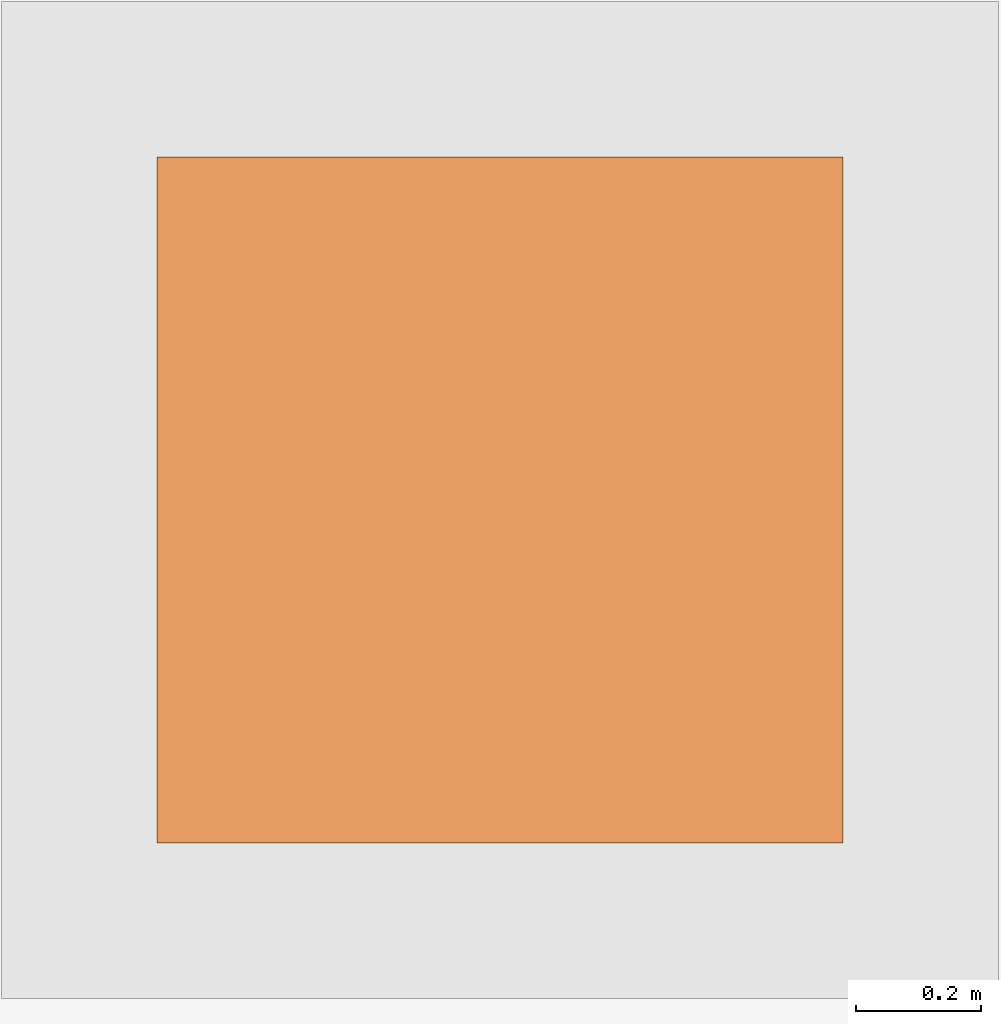
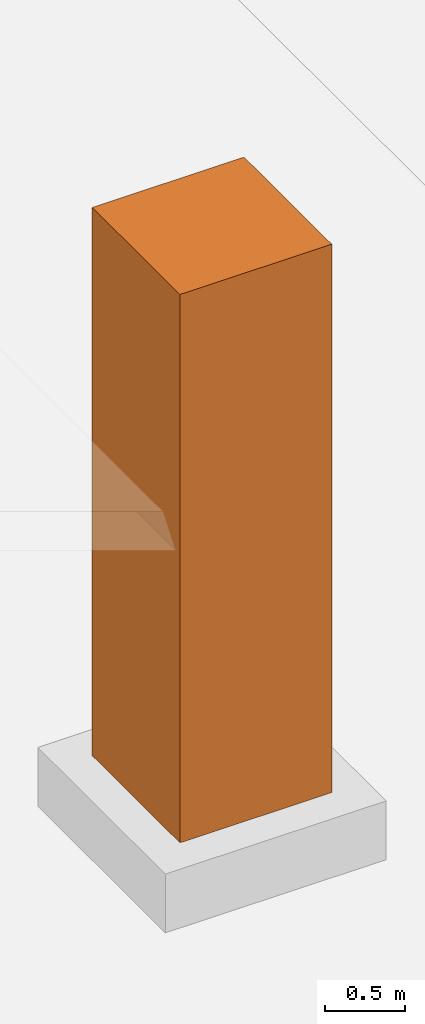
# One storey, part 32 of 32: 1 proxy.
"""IFC4 building model written with IfcOpenShell, lengths in metres."""

from ifc_helpers import new_model, si_unit, direction, frame, origin, origin_2d, place, context, subcontext, project, spatial, rectangle, extrude, element, save


model = new_model("IFC4")

# Units and contexts
model_context = context("Model", 3, precision=1e-05, world=origin(), true_north=direction((0.0, 1.0)))
body_context = subcontext(model_context, "Body", "Model", "MODEL_VIEW")
ifc_project = project(units=[si_unit("LENGTHUNIT", "METRE"), si_unit("AREAUNIT", "SQUARE_METRE"), si_unit("VOLUMEUNIT", "CUBIC_METRE"), si_unit("PLANEANGLEUNIT", "RADIAN"), si_unit("MASSUNIT", "GRAM", prefix="KILO")], contexts=[model_context])

# Site, building, storey
site_placement = place(None, origin())
site = spatial("IfcSite", under=ifc_project, at=site_placement, CompositionType="ELEMENT")
building_placement = place(site_placement, origin())
building = spatial("IfcBuilding", under=site, at=building_placement, Name="Torre Triforio", CompositionType="ELEMENT")
storey_placement = place(building_placement, origin())
storey = spatial("IfcBuildingStorey", under=building, at=storey_placement, Name="L00", CompositionType="ELEMENT", Elevation=0.0)

# Proxy
proxy_placement = place(storey_placement, frame((84.0, 0.0, 0.4501953125), z_axis=(0.0, 0.0, 1.0), x_axis=(1.0, 0.0, 0.0)))
element("IfcBuildingElementProxy", 1, at=proxy_placement, inside=storey, Name="Public artwork", PredefinedType="ELEMENT", context=body_context, shape_type="SweptSolid", body=[
    extrude(rectangle(XDim=1.10009765625, YDim=1.10009765625, at=origin_2d()), origin(), (0.0, 0.0, 1.0), 4.199951171875),
])

save(model, "model.ifc")
